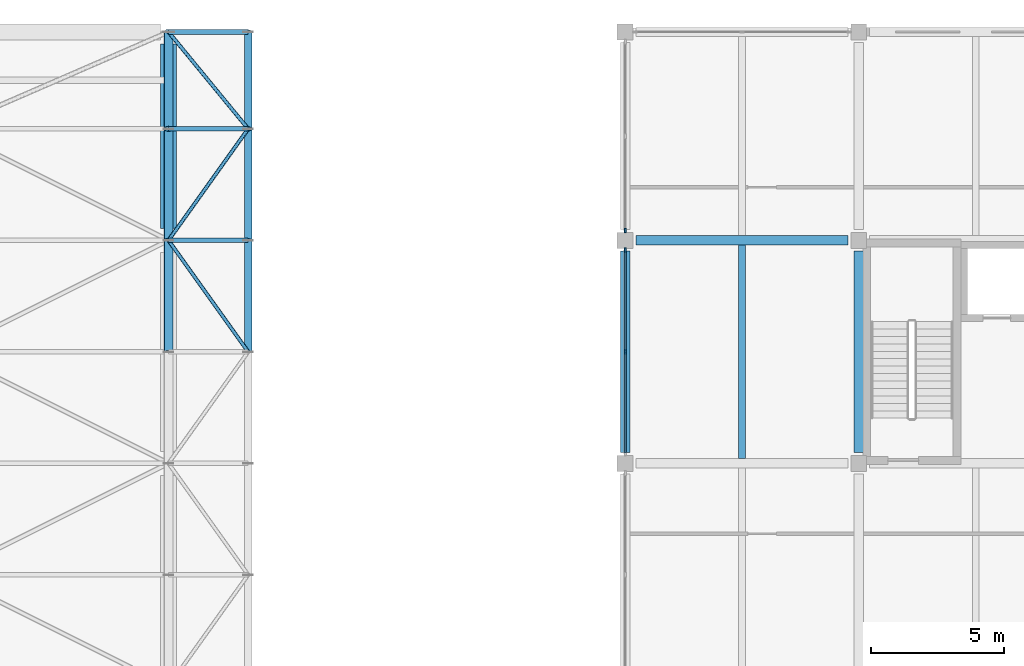
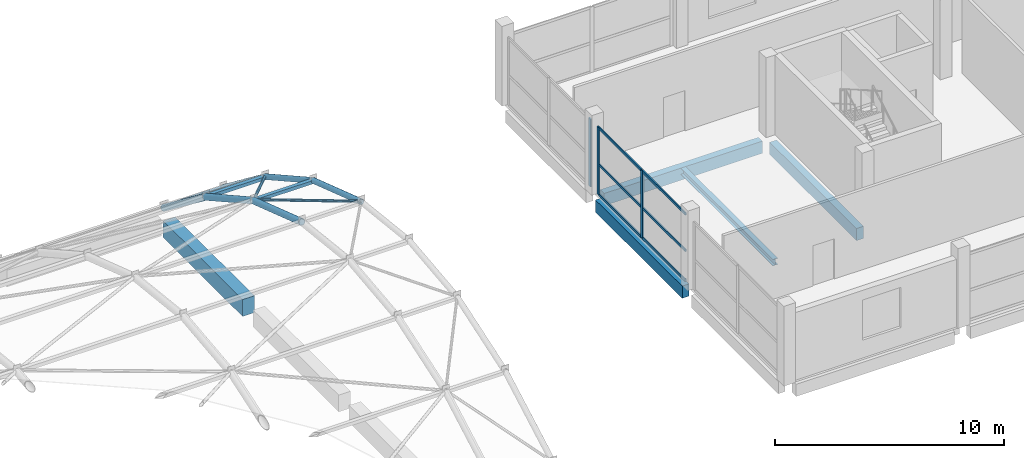
# One storey, part 5 of 38: 15 members, 11 beams, 2 elements without a shape of their own.
"""IFC4 building model written with IfcOpenShell, lengths in metres."""

from ifc_helpers import new_model, si_unit, direction, frame, origin, origin_2d, place, context, subcontext, project, spatial, rectangle, hollow_rectangle, hollow_circle, i_section, extrude, material, material_profile, profile_set, type_object, element, aggregate, save


model = new_model("IFC4")

# Units and contexts
model_context = context("Model", 3, precision=1e-05, world=origin(), true_north=direction((0.0, 1.0)))
body_context = subcontext(model_context, "Body", "Model", "MODEL_VIEW")
ifc_project = project(units=[si_unit("LENGTHUNIT", "METRE"), si_unit("AREAUNIT", "SQUARE_METRE"), si_unit("VOLUMEUNIT", "CUBIC_METRE"), si_unit("PLANEANGLEUNIT", "RADIAN"), si_unit("MASSUNIT", "GRAM", prefix="KILO")], contexts=[model_context])

# Site, building, storey
site_placement = place(None, origin())
site = spatial("IfcSite", under=ifc_project, at=site_placement, CompositionType="ELEMENT")
building_placement = place(site_placement, origin())
building = spatial("IfcBuilding", under=site, at=building_placement, Name="Brinegate Botanical Conservatory", CompositionType="ELEMENT")
storey_placement = place(building_placement, frame((0.0, 0.0, 10.199951171875)))
storey = spatial("IfcBuildingStorey", under=building, at=storey_placement, Name="L03", CompositionType="ELEMENT", Elevation=10.199951171875)

# Beams
ifc_material_1 = material(Name="Concrete C40/50", Category="concrete")
ifc_material_profile_1 = material_profile(ifc_material_1, rectangle(XDim=0.35009765625, YDim=0.64990234375, at=origin_2d()), Name="RC BM 350x650")
ifc_profile_set_1 = profile_set([ifc_material_profile_1], Name="Concrete C40/50")
beam_type_1 = type_object("IfcBeamType", Name="Beam_BM-V3", PredefinedType="BEAM", material=ifc_profile_set_1)
beam_1_placement = place(storey_placement, frame((51.199951171875, 103.60009765625, -0.544921875), z_axis=(1.0, 0.0, 0.0), x_axis=(0.0, 1.0, 0.0)))
element("IfcBeam", 1, at=beam_1_placement, inside=storey, type_object=beam_type_1, Name="Beam BM-V3 L03 N:7-8", PredefinedType="BEAM", context=body_context, shape_type="SweptSolid", body=[
    extrude(rectangle(XDim=0.35009765625, YDim=0.64990234375, at=origin_2d()), origin(), (0.0, 0.0, 1.0), 8.0),
])
for number, where, z_axis, x_axis, name in (
    (2, (50.800048828125, 95.60009765625, -0.544921875), (0.0, 1.0, 0.0), (-1.0, 0.0, 0.0), "Beam BM-V3 L03 7:M-N"),
    (3, (59.60009765625, 95.60009765625, -0.544921875), (0.0, 1.0, 0.0), (-1.0, 0.0, 0.0), "Beam BM-V3 L03 8:M-N"),
):
    element("IfcBeam", number, at=place(storey_placement, frame(where, z_axis=z_axis, x_axis=x_axis)), inside=storey, type_object=beam_type_1, Name=name, PredefinedType="BEAM", context=body_context, shape_type="SweptSolid", body=[
        extrude(rectangle(XDim=0.35009765625, YDim=0.64990234375, at=origin_2d()), origin(), (0.0, 0.0, 1.0), 7.599853515625),
    ])
ifc_material_2 = material(Name="Structural steel Q355B / S355", Category="steel")
ifc_material_profile_2 = material_profile(ifc_material_2, hollow_circle(Radius=0.16259765625, WallThickness=0.013916015625, at=origin_2d()), Name="CHS 325x14")
ifc_profile_set_2 = profile_set([ifc_material_profile_2], Name="Structural steel Q355B / S355")
beam_type_2 = type_object("IfcBeamType", Name="Beam_GA-01", PredefinedType="BEAM", material=ifc_profile_set_2)
beam_2_placement = place(storey_placement, frame((33.60009765625, 99.39990234375, 6.86865234375), z_axis=(0.0, 0.948280155902, -0.317434632518), x_axis=(-1.0, 0.0, 0.0)))
element("IfcBeam", 4, at=beam_2_placement, inside=storey, type_object=beam_type_2, Name="Conservatory vault arch rib GA-01 WP-042-WP-043", PredefinedType="BEAM", context=body_context, shape_type="SweptSolid", body=[
    extrude(hollow_circle(Radius=0.16259765625, WallThickness=0.013916015625, at=origin_2d()), origin(), (0.0, 0.0, 1.0), 4.42919921875),
])
beam_3_placement = place(storey_placement, frame((33.60009765625, 103.60009765625, 5.462646484375), z_axis=(0.0, 0.873212270068, -0.487340057253), x_axis=(-1.0, 0.0, 0.0)))
element("IfcBeam", 5, at=beam_3_placement, inside=storey, type_object=beam_type_2, Name="Conservatory vault arch rib GA-01 WP-043-WP-044", PredefinedType="BEAM", context=body_context, shape_type="SweptSolid", body=[
    extrude(hollow_circle(Radius=0.16259765625, WallThickness=0.013916015625, at=origin_2d()), origin(), (0.0, 0.0, 1.0), 4.809814453125),
])
beam_4_placement = place(storey_placement, frame((33.60009765625, 107.800048828125, 3.11865234375), z_axis=(0.0, 0.793623449281, -0.608409254328), x_axis=(-1.0, 0.0, 0.0)))
element("IfcBeam", 6, at=beam_4_placement, inside=storey, type_object=beam_type_2, Name="Conservatory vault arch rib GA-01 WP-044-WP-045", PredefinedType="BEAM", context=body_context, shape_type="SweptSolid", body=[
    extrude(hollow_circle(Radius=0.16259765625, WallThickness=0.013916015625, at=origin_2d()), origin(), (0.0, 0.0, 1.0), 4.59912109375),
])
ifc_material_profile_3 = material_profile(ifc_material_2, hollow_circle(Radius=0.136474609375, WallThickness=0.011962890625, at=origin_2d()), Name="CHS 273x12")
ifc_profile_set_3 = profile_set([ifc_material_profile_3], Name="Structural steel Q355B / S355")
beam_type_3 = type_object("IfcBeamType", Name="Beam_GA-02", PredefinedType="BEAM", material=ifc_profile_set_3)
beam_5_placement = place(storey_placement, frame((36.60009765625, 99.39990234375, 6.894775390625), z_axis=(0.0, 0.948263562918, -0.317484196838), x_axis=(-1.0, 0.0, 0.0)))
element("IfcBeam", 7, at=beam_5_placement, inside=storey, type_object=beam_type_3, Name="Conservatory vault arch rib GA-02 WP-051-WP-052", PredefinedType="BEAM", context=body_context, shape_type="SweptSolid", body=[
    extrude(hollow_circle(Radius=0.136474609375, WallThickness=0.011962890625, at=origin_2d()), origin(), (0.0, 0.0, 1.0), 4.429443359375),
])
beam_6_placement = place(storey_placement, frame((36.60009765625, 103.60009765625, 5.488525390625), z_axis=(0.0, 0.873233870432, -0.487301351866), x_axis=(-1.0, 0.0, 0.0)))
element("IfcBeam", 8, at=beam_6_placement, inside=storey, type_object=beam_type_3, Name="Conservatory vault arch rib GA-02 WP-052-WP-053", PredefinedType="BEAM", context=body_context, shape_type="SweptSolid", body=[
    extrude(hollow_circle(Radius=0.136474609375, WallThickness=0.011962890625, at=origin_2d()), origin(), (0.0, 0.0, 1.0), 4.8095703125),
])
beam_7_placement = place(storey_placement, frame((36.60009765625, 107.800048828125, 3.144775390625), z_axis=(0.0, 0.793597817339, -0.608442687782), x_axis=(-1.0, 0.0, 0.0)))
element("IfcBeam", 9, at=beam_7_placement, inside=storey, type_object=beam_type_3, Name="Conservatory vault arch rib GA-02 WP-053-WP-054", PredefinedType="BEAM", context=body_context, shape_type="SweptSolid", body=[
    extrude(hollow_circle(Radius=0.136474609375, WallThickness=0.011962890625, at=origin_2d()), origin(), (0.0, 0.0, 1.0), 4.59912109375),
])
ifc_material_profile_4 = material_profile(ifc_material_2, i_section(OverallWidth=0.25, OverallDepth=0.340087890625, WebThickness=0.009033203125, FlangeThickness=0.013916015625, at=origin_2d()), Name="HM 340x250x9x14")
ifc_profile_set_4 = profile_set([ifc_material_profile_4], Name="Structural steel Q355B / S355")
beam_type_4 = type_object("IfcBeamType", Name="Beam_JS-S5", PredefinedType="JOIST", material=ifc_profile_set_4)
beam_8_placement = place(storey_placement, frame((55.199951171875, 95.375, -0.389892578125), z_axis=(0.0, 1.0, 0.0), x_axis=(-1.0, 0.0, 0.0)))
element("IfcBeam", 10, at=beam_8_placement, inside=storey, type_object=beam_type_4, Name="Floor joist JS-S5 L03 bay 7.12", PredefinedType="JOIST", context=body_context, shape_type="SweptSolid", body=[
    extrude(i_section(OverallWidth=0.25, OverallDepth=0.340087890625, WebThickness=0.009033203125, FlangeThickness=0.013916015625, at=origin_2d()), origin(), (0.0, 0.0, 1.0), 8.050048828125),
])
ifc_material_profile_5 = material_profile(ifc_material_1, rectangle(XDim=0.60009765625, YDim=0.89990234375, at=origin_2d()), Name="RC RB 600x900")
ifc_profile_set_5 = profile_set([ifc_material_profile_5], Name="Concrete C40/50")
beam_type_5 = type_object("IfcBeamType", Name="Beam_RB-V1", PredefinedType="BEAM", material=ifc_profile_set_5)
beam_9_placement = place(storey_placement, frame((33.60009765625, 104.050048828125, -0.449951171875), z_axis=(0.0, 1.0, 0.0), x_axis=(-1.0, 0.0, 0.0)))
element("IfcBeam", 11, at=beam_9_placement, inside=storey, type_object=beam_type_5, Name="Conservatory vault ring beam RB-V1 east 4", PredefinedType="BEAM", context=body_context, shape_type="SweptSolid", body=[
    extrude(rectangle(XDim=0.60009765625, YDim=0.89990234375, at=origin_2d()), origin(), (0.0, 0.0, 1.0), 6.949951171875),
])

# Members
ifc_material_profile_6 = material_profile(ifc_material_2, hollow_circle(Radius=0.070068359375, WallThickness=0.006103515625, at=origin_2d()), Name="CHS 140x6")
ifc_profile_set_6 = profile_set([ifc_material_profile_6], Name="Structural steel Q355B / S355")
member_type_1 = type_object("IfcMemberType", Name="Member_GD-02", PredefinedType="BRACE", material=ifc_profile_set_6)
member_1_placement = place(storey_placement, frame((36.60009765625, 99.39990234375, 6.921142578125), z_axis=(-0.560786917171, 0.785138193604, -0.262823230468), x_axis=(-0.813746254747, -0.581220296346, 0.0)))
element("IfcMember", 12, at=member_1_placement, inside=storey, type_object=member_type_1, Name="Conservatory gridshell diagrid brace GD-02 WP-051-WP-043", PredefinedType="BRACE", context=body_context, shape_type="SweptSolid", body=[
    extrude(hollow_circle(Radius=0.070068359375, WallThickness=0.006103515625, at=origin_2d()), origin(), (0.0, 0.0, 1.0), 5.349609375),
])
member_2_placement = place(storey_placement, frame((33.60009765625, 103.60009765625, 5.51513671875), z_axis=(0.529224019257, 0.740905013288, -0.413499333405), x_axis=(-0.813730275137, 0.581242668191, 0.0)))
element("IfcMember", 13, at=member_2_placement, inside=storey, type_object=member_type_1, Name="Conservatory gridshell diagrid brace GD-02 WP-043-WP-053", PredefinedType="BRACE", context=body_context, shape_type="SweptSolid", body=[
    extrude(hollow_circle(Radius=0.070068359375, WallThickness=0.006103515625, at=origin_2d()), origin(), (0.0, 0.0, 1.0), 5.668701171875),
])
member_3_placement = place(storey_placement, frame((36.60009765625, 107.800048828125, 3.171142578125), z_axis=(-0.546348156494, 0.664705805631, -0.509578143032), x_axis=(-0.772532508357, -0.634975214896, 0.0)))
element("IfcMember", 14, at=member_3_placement, inside=storey, type_object=member_type_1, Name="Conservatory gridshell diagrid brace GD-02 WP-053-WP-045", PredefinedType="BRACE", context=body_context, shape_type="SweptSolid", body=[
    extrude(hollow_circle(Radius=0.070068359375, WallThickness=0.006103515625, at=origin_2d()), origin(), (0.0, 0.0, 1.0), 5.490966796875),
])
ifc_material_profile_7 = material_profile(ifc_material_2, hollow_rectangle(XDim=0.179931640625, YDim=0.179931640625, WallThickness=0.010009765625, at=origin_2d()), Name="SHS 180x180x10")
ifc_profile_set_7 = profile_set([ifc_material_profile_7], Name="Structural steel Q355B / S355")
member_type_2 = type_object("IfcMemberType", Name="Member_GP-02", PredefinedType="PURLIN", material=ifc_profile_set_7)
for number, where, z_axis, x_axis, name in (
    (15, (33.60009765625, 103.60009765625, 5.467041015625), (1.0, 0.0, 0.0), (0.0, 1.0, 0.0), "Conservatory gridshell purlin GP-02 WP-043-WP-052"),
    (16, (33.60009765625, 107.800048828125, 3.123291015625), (1.0, 0.0, 0.0), (0.0, 1.0, 0.0), "Conservatory gridshell purlin GP-02 WP-044-WP-053"),
    (17, (33.60009765625, 111.449951171875, 0.324951171875), (1.0, 0.0, 0.0), (0.0, 1.0, 0.0), "Conservatory gridshell purlin GP-02 WP-045-WP-054"),
):
    element("IfcMember", number, at=place(storey_placement, frame(where, z_axis=z_axis, x_axis=x_axis)), inside=storey, type_object=member_type_2, Name=name, PredefinedType="PURLIN", context=body_context, shape_type="SweptSolid", body=[
        extrude(hollow_rectangle(XDim=0.179931640625, YDim=0.179931640625, WallThickness=0.010009765625, at=origin_2d()), origin(), (0.0, 0.0, 1.0), 3.0),
    ])

# Curtain wall, members
ifc_material_3 = material(Name="Thermally broken anodised aluminium AW-6063-T6", Category="aluminium")
curtain_wall_type = type_object("IfcCurtainWallType", Name="CW_CW-V3", PredefinedType="USERDEFINED", material=ifc_material_3)
curtain_wall_1_placement = place(storey_placement, origin())
curtain_wall_1 = element("IfcCurtainWall", 18, at=curtain_wall_1_placement, inside=storey, type_object=curtain_wall_type, Name="Visitor west forecourt curtain wall L03.2", ObjectType="FACTORY CURTAIN WALL", PredefinedType="USERDEFINED")
ifc_material_profile_8 = material_profile(ifc_material_3, rectangle(XDim=0.06494140625, YDim=0.179931640625, at=origin_2d()), Name="ALUM MULLION 65x180")
ifc_profile_set_8 = profile_set([ifc_material_profile_8], Name="Thermally broken anodised aluminium AW-6063-T6")
member_type_3 = type_object("IfcMemberType", Name="Member_ML-02", PredefinedType="MULLION", material=ifc_profile_set_8)
member_4_placement = place(storey_placement, frame((50.800048828125, 99.39990234375, 0.0), z_axis=(0.0, 0.0, 1.0), x_axis=(-1.0, 0.0, 0.0)))
member_4 = element("IfcMember", 19, at=member_4_placement, type_object=member_type_3, Name="CW-V3 mullion 2", PredefinedType="MULLION", context=body_context, shape_type="SweptSolid", body=[
    extrude(rectangle(XDim=0.06494140625, YDim=0.179931640625, at=origin_2d()), origin(), (0.0, 0.0, 1.0), 3.610107421875),
])
member_5_placement = place(storey_placement, frame((50.800048828125, 103.2275390625, 0.0), z_axis=(0.0, 0.0, 1.0), x_axis=(-1.0, 0.0, 0.0)))
member_5 = element("IfcMember", 20, at=member_5_placement, type_object=member_type_3, Name="CW-V3 mullion 3", PredefinedType="MULLION", context=body_context, shape_type="SweptSolid", body=[
    extrude(rectangle(XDim=0.06494140625, YDim=0.179931640625, at=origin_2d()), origin(), (0.0, 0.0, 1.0), 3.610107421875),
])

# Curtain wall, member
curtain_wall_2_placement = place(storey_placement, origin())
curtain_wall_2 = element("IfcCurtainWall", 21, at=curtain_wall_2_placement, inside=storey, type_object=curtain_wall_type, Name="Visitor west forecourt curtain wall L03.3", ObjectType="FACTORY CURTAIN WALL", PredefinedType="USERDEFINED")
member_6_placement = place(storey_placement, frame((50.800048828125, 103.972412109375, 0.0), z_axis=(0.0, 0.0, 1.0), x_axis=(-1.0, 0.0, 0.0)))
member_6 = element("IfcMember", 22, at=member_6_placement, type_object=member_type_3, Name="CW-V3 mullion 1", PredefinedType="MULLION", context=body_context, shape_type="SweptSolid", body=[
    extrude(rectangle(XDim=0.06494140625, YDim=0.179931640625, at=origin_2d()), origin(), (0.0, 0.0, 1.0), 3.610107421875),
])
aggregate(curtain_wall_2, [member_6])

# Member
ifc_material_profile_9 = material_profile(ifc_material_3, rectangle(XDim=0.06494140625, YDim=0.135009765625, at=origin_2d()), Name="ALUM TRANSOM 65x135")
ifc_profile_set_9 = profile_set([ifc_material_profile_9], Name="Thermally broken anodised aluminium AW-6063-T6")
member_type_4 = type_object("IfcMemberType", Name="Member_TR-02", PredefinedType="USERDEFINED", material=ifc_profile_set_9)
member_7_placement = place(storey_placement, frame((50.800048828125, 95.60498046875, 0.032470703125), z_axis=(0.0, 1.0, 0.0), x_axis=(-1.0, 0.0, 0.0)))
member_7 = element("IfcMember", 23, at=member_7_placement, type_object=member_type_4, Name="CW-V3 transom 1.1", ObjectType="TRANSOM", PredefinedType="USERDEFINED", context=body_context, shape_type="SweptSolid", body=[
    extrude(rectangle(XDim=0.06494140625, YDim=0.135009765625, at=origin_2d()), origin(), (0.0, 0.0, 1.0), 3.762451171875),
])

member_8_placement = place(storey_placement, frame((50.800048828125, 95.60498046875, 1.625), z_axis=(0.0, 1.0, 0.0), x_axis=(-1.0, 0.0, 0.0)))
member_8 = element("IfcMember", 24, at=member_8_placement, type_object=member_type_4, Name="CW-V3 transom 1.2", ObjectType="TRANSOM", PredefinedType="USERDEFINED", context=body_context, shape_type="SweptSolid", body=[
    extrude(rectangle(XDim=0.06494140625, YDim=0.135009765625, at=origin_2d()), origin(), (0.0, 0.0, 1.0), 3.762451171875),
])

member_9_placement = place(storey_placement, frame((50.800048828125, 95.60498046875, 3.57763671875), z_axis=(0.0, 1.0, 0.0), x_axis=(-1.0, 0.0, 0.0)))
member_9 = element("IfcMember", 25, at=member_9_placement, type_object=member_type_4, Name="CW-V3 transom 1.3", ObjectType="TRANSOM", PredefinedType="USERDEFINED", context=body_context, shape_type="SweptSolid", body=[
    extrude(rectangle(XDim=0.06494140625, YDim=0.135009765625, at=origin_2d()), origin(), (0.0, 0.0, 1.0), 3.762451171875),
])

member_10_placement = place(storey_placement, frame((50.800048828125, 99.4326171875, 0.032470703125), z_axis=(0.0, 1.0, 0.0), x_axis=(-1.0, 0.0, 0.0)))
member_10 = element("IfcMember", 26, at=member_10_placement, type_object=member_type_4, Name="CW-V3 transom 2.1", ObjectType="TRANSOM", PredefinedType="USERDEFINED", context=body_context, shape_type="SweptSolid", body=[
    extrude(rectangle(XDim=0.06494140625, YDim=0.135009765625, at=origin_2d()), origin(), (0.0, 0.0, 1.0), 3.762451171875),
])

member_11_placement = place(storey_placement, frame((50.800048828125, 99.4326171875, 1.625), z_axis=(0.0, 1.0, 0.0), x_axis=(-1.0, 0.0, 0.0)))
member_11 = element("IfcMember", 27, at=member_11_placement, type_object=member_type_4, Name="CW-V3 transom 2.2", ObjectType="TRANSOM", PredefinedType="USERDEFINED", context=body_context, shape_type="SweptSolid", body=[
    extrude(rectangle(XDim=0.06494140625, YDim=0.135009765625, at=origin_2d()), origin(), (0.0, 0.0, 1.0), 3.762451171875),
])

member_12_placement = place(storey_placement, frame((50.800048828125, 99.4326171875, 3.57763671875), z_axis=(0.0, 1.0, 0.0), x_axis=(-1.0, 0.0, 0.0)))
member_12 = element("IfcMember", 28, at=member_12_placement, type_object=member_type_4, Name="CW-V3 transom 2.3", ObjectType="TRANSOM", PredefinedType="USERDEFINED", context=body_context, shape_type="SweptSolid", body=[
    extrude(rectangle(XDim=0.06494140625, YDim=0.135009765625, at=origin_2d()), origin(), (0.0, 0.0, 1.0), 3.762451171875),
])

aggregate(curtain_wall_1, [member_4, member_5, member_7, member_8, member_9, member_10, member_11, member_12])

save(model, "model.ifc")
